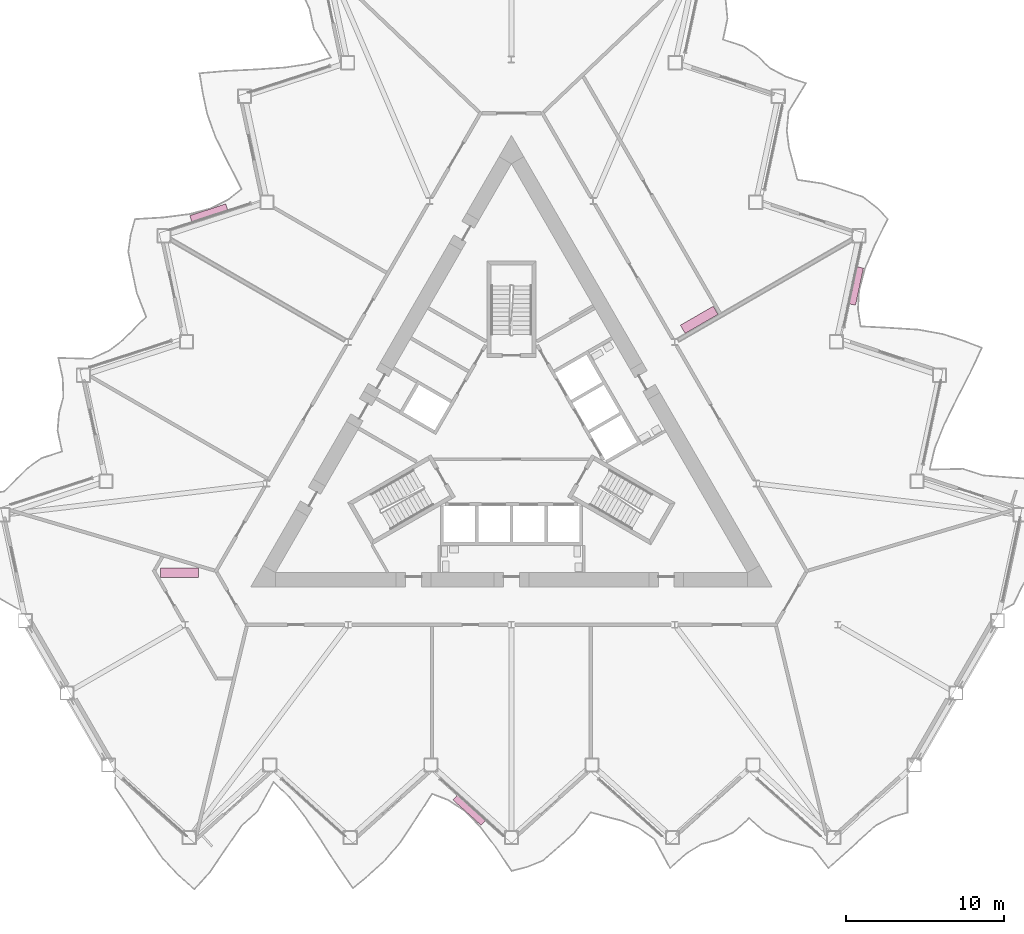
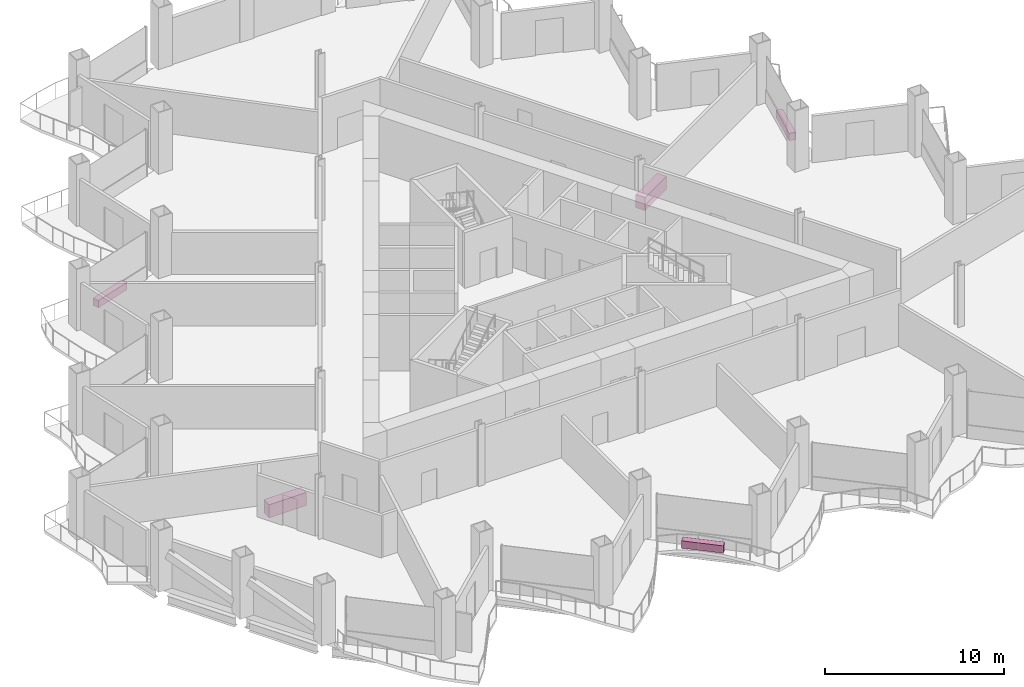
# One storey, part 21 of 21: 5 furniture elements.
"""IFC4 building model written with IfcOpenShell, lengths in metres."""

from ifc_helpers import new_model, si_unit, direction, frame, origin, origin_2d, place, context, subcontext, project, spatial, rectangle, extrude, material, type_object, element, save


model = new_model("IFC4")

# Units and contexts
model_context = context("Model", 3, precision=1e-05, world=origin(), true_north=direction((0.0, 1.0)))
body_context = subcontext(model_context, "Body", "Model", "MODEL_VIEW")
ifc_project = project(units=[si_unit("LENGTHUNIT", "METRE"), si_unit("AREAUNIT", "SQUARE_METRE"), si_unit("VOLUMEUNIT", "CUBIC_METRE"), si_unit("PLANEANGLEUNIT", "RADIAN"), si_unit("MASSUNIT", "GRAM", prefix="KILO")], contexts=[model_context])

# Site, building, storey
site_placement = place(None, origin())
site = spatial("IfcSite", under=ifc_project, at=site_placement, CompositionType="ELEMENT")
building_placement = place(site_placement, origin())
building = spatial("IfcBuilding", under=site, at=building_placement, Name="Cormorant Prow Tower", CompositionType="ELEMENT")
storey_placement = place(building_placement, frame((0.0, 0.0, 112.199951171875)))
storey = spatial("IfcBuildingStorey", under=building, at=storey_placement, Name="L23", CompositionType="ELEMENT", Elevation=112.199951171875)

# Furniture
ifc_material_1 = material(Name="Terracotta", Category="masonry")
furniture_type_1 = type_object("IfcFurnitureType", Name="Balcony planter 2400x400x500", AssemblyPlace="NOTDEFINED", PredefinedType="USERDEFINED", material=ifc_material_1)
for number, where, z_axis, x_axis, name in (
    (1, (-2.67626953125, -23.67041015625, 0.0), (0.0, 0.0, 1.0), (0.74314483343, -0.669130597526, 0.0), "Balcony planter S04"),
    (2, (21.83740234375, 9.517333984375, 0.0), (0.0, 0.0, 1.0), (0.207911647216, 0.978147610002, 0.0), "Balcony planter ENE04"),
    (3, (-19.160888671875, 14.15283203125, 0.0), (0.0, 0.0, 1.0), (-0.951056506231, -0.309017025349, 0.0), "Balcony planter WNW04"),
):
    element("IfcFurniture", number, at=place(storey_placement, frame(where, z_axis=z_axis, x_axis=x_axis)), inside=storey, type_object=furniture_type_1, Name=name, ObjectType="PLANTER", PredefinedType="USERDEFINED", context=body_context, shape_type="SweptSolid", body=[
        extrude(rectangle(XDim=2.39990234375, YDim=0.39990234375, at=origin_2d()), origin(), (0.0, 0.0, 1.0), 0.5),
    ])
ifc_material_2 = material(Name="Timber joinery", Category="wood")
furniture_type_2 = type_object("IfcFurnitureType", Name="Kitchen counter 2400x600", AssemblyPlace="NOTDEFINED", PredefinedType="NOTDEFINED", material=ifc_material_2)
for number, where, z_axis, x_axis, name in (
    (4, (11.885498046875, 7.3759765625, 0.0), (0.0, 0.0, 1.0), (-0.866025403784, -0.5, 0.0), "Kitchen counter"),
    (5, (-21.01025390625, -8.63134765625, 0.0), (0.0, 0.0, 1.0), (1.0, 0.0, 0.0), "Kitchen counter"),
):
    element("IfcFurniture", number, at=place(storey_placement, frame(where, z_axis=z_axis, x_axis=x_axis)), inside=storey, type_object=furniture_type_2, Name=name, PredefinedType="NOTDEFINED", context=body_context, shape_type="SweptSolid", body=[
        extrude(rectangle(XDim=2.39990234375, YDim=0.60009765625, at=origin_2d()), origin(), (0.0, 0.0, 1.0), 0.89990234375),
    ])

save(model, "model.ifc")
